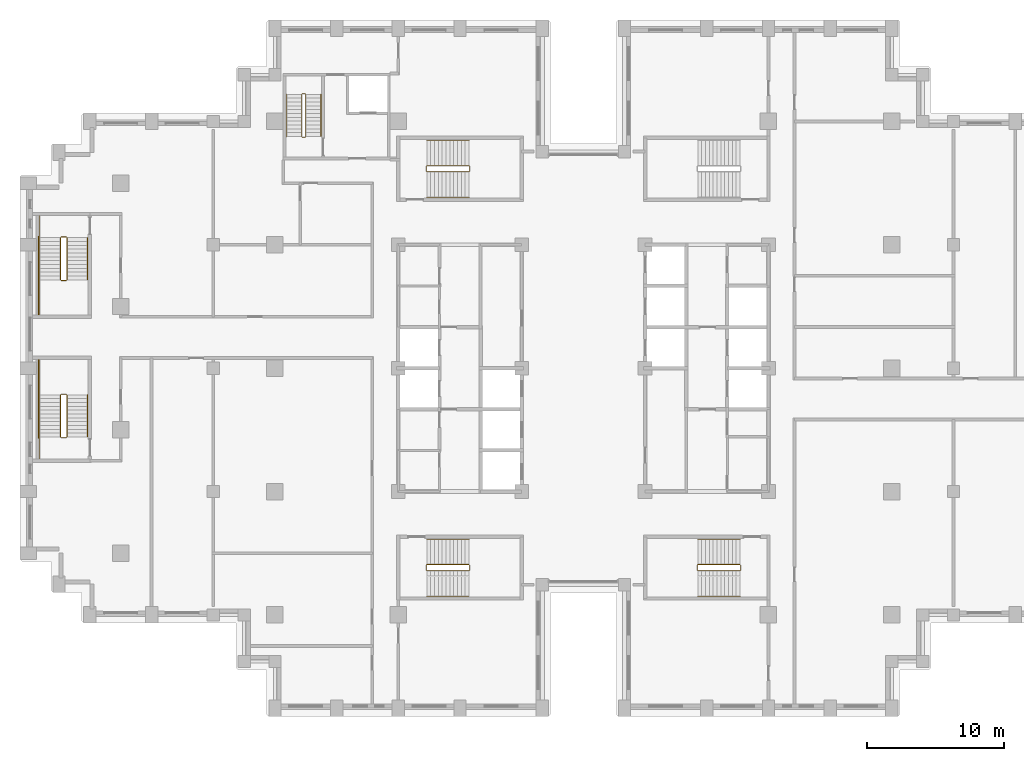
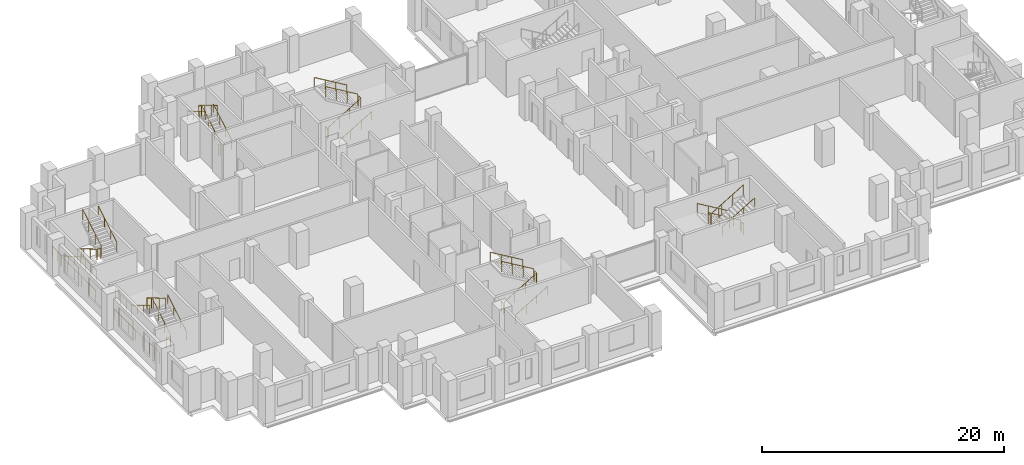
# One storey, part 14 of 15: 6 railings.
"""IFC4 building model written with IfcOpenShell, lengths in metres."""

from ifc_helpers import new_model, si_unit, direction, frame, origin, origin_2d, place, context, subcontext, project, spatial, circle, extrude, material, type_object, element, save


model = new_model("IFC4")

# Units and contexts
model_context = context("Model", 3, precision=1e-05, world=origin(), true_north=direction((0.0, 1.0)))
body_context = subcontext(model_context, "Body", "Model", "MODEL_VIEW")
ifc_project = project(units=[si_unit("LENGTHUNIT", "METRE"), si_unit("AREAUNIT", "SQUARE_METRE"), si_unit("VOLUMEUNIT", "CUBIC_METRE"), si_unit("PLANEANGLEUNIT", "RADIAN"), si_unit("MASSUNIT", "GRAM", prefix="KILO")], contexts=[model_context])

# Site, building, storey
site_placement = place(None, origin())
site = spatial("IfcSite", under=ifc_project, at=site_placement, CompositionType="ELEMENT")
building_placement = place(site_placement, origin())
building = spatial("IfcBuilding", under=site, at=building_placement, Name="Corbelhall Arena Tower", CompositionType="ELEMENT")
storey_placement = place(building_placement, frame((0.0, 0.0, 80.0)))
storey = spatial("IfcBuildingStorey", under=building, at=storey_placement, Name="L12", CompositionType="ELEMENT", Elevation=80.0)

# Railings
ifc_material = material(Name="Steel ASTM A500 Gr C", Category="steel")
railing_type = type_object("IfcRailingType", Name="IN-GD-1100", PredefinedType="GUARDRAIL", material=ifc_material)
railing_1_placement = place(storey_placement, frame((-11.425048828125, 14.324951171875, 0.166748046875)))
element("IfcRailing", 1, at=railing_1_placement, inside=storey, type_object=railing_type, Name="L12 ST1 stair guards and handrails", PredefinedType="GUARDRAIL", context=body_context, shape_type="SweptSolid", body=[
    extrude(circle(Radius=0.02392578125, at=origin_2d()), frame((0.0, 0.0, 1.076171875), z_axis=(0.859308565015, 0.0, 0.511457515432), x_axis=(0.0, 1.0, 0.0)), (0.0, 0.0, 1.0), 3.58447265625),
    extrude(circle(Radius=0.02392578125, at=origin_2d()), frame((3.130126953125, 0.050048828125, 2.9091796875), z_axis=(0.0, 1.0, 0.0), x_axis=(-1.0, 0.0, 0.0)), (0.0, 0.0, 1.0), 0.35009765625),
    extrude(circle(Radius=0.02392578125, at=origin_2d()), frame((3.080078125, 0.449951171875, 3.076171875), z_axis=(-0.859308565015, 0.0, 0.511457515432), x_axis=(0.0, -1.0, 0.0)), (0.0, 0.0, 1.0), 3.58447265625),
    extrude(circle(Radius=0.02392578125, at=origin_2d()), frame((-0.050048828125, 0.050048828125, 0.9091796875), z_axis=(0.0, 1.0, 0.0), x_axis=(-1.0, 0.0, 0.0)), (0.0, 0.0, 1.0), 0.35009765625),
    extrude(circle(Radius=0.02392578125, at=origin_2d()), frame((0.0, -1.849853515625, 0.8759765625), z_axis=(0.859308565015, 0.0, 0.511457515432), x_axis=(0.0, 1.0, 0.0)), (0.0, 0.0, 1.0), 3.58447265625),
    extrude(circle(Radius=0.02392578125, at=origin_2d()), frame((3.080078125, 2.300048828125, 2.8759765625), z_axis=(-0.859308565015, 0.0, 0.511457515432), x_axis=(0.0, -1.0, 0.0)), (0.0, 0.0, 1.0), 3.58447265625),
    extrude(circle(Radius=0.02099609375, at=origin_2d()), origin(), (0.0, 0.0, 1.0), 1.052001953125),
    extrude(circle(Radius=0.02099609375, at=origin_2d()), frame((1.026611328125, 0.0, 0.611083984375)), (0.0, 0.0, 1.0), 1.052001953125),
    extrude(circle(Radius=0.02099609375, at=origin_2d()), frame((2.053466796875, 0.0, 1.22216796875)), (0.0, 0.0, 1.0), 1.052001953125),
    extrude(circle(Radius=0.02099609375, at=origin_2d()), frame((3.080078125, 0.0, 1.833251953125)), (0.0, 0.0, 1.0), 1.052001953125),
    extrude(circle(Radius=0.02099609375, at=origin_2d()), frame((3.130126953125, 0.050048828125, 1.833251953125)), (0.0, 0.0, 1.0), 1.052001953125),
    extrude(circle(Radius=0.02099609375, at=origin_2d()), frame((3.130126953125, 0.400146484375, 1.833251953125)), (0.0, 0.0, 1.0), 1.052001953125),
    extrude(circle(Radius=0.02099609375, at=origin_2d()), frame((3.080078125, 0.449951171875, 2.0)), (0.0, 0.0, 1.0), 1.052001953125),
    extrude(circle(Radius=0.02099609375, at=origin_2d()), frame((2.053466796875, 0.449951171875, 2.611083984375)), (0.0, 0.0, 1.0), 1.052001953125),
    extrude(circle(Radius=0.02099609375, at=origin_2d()), frame((1.026611328125, 0.449951171875, 3.22216796875)), (0.0, 0.0, 1.0), 1.052001953125),
    extrude(circle(Radius=0.02099609375, at=origin_2d()), frame((0.0, 0.449951171875, 3.833251953125)), (0.0, 0.0, 1.0), 1.052001953125),
    extrude(circle(Radius=0.02099609375, at=origin_2d()), frame((-0.050048828125, 0.050048828125, -0.166748046875)), (0.0, 0.0, 1.0), 1.052001953125),
    extrude(circle(Radius=0.02099609375, at=origin_2d()), frame((-0.050048828125, 0.400146484375, -0.166748046875)), (0.0, 0.0, 1.0), 1.052001953125),
    extrude(circle(Radius=0.02099609375, at=origin_2d()), frame((0.0, -1.849853515625, 0.0)), (0.0, 0.0, 1.0), 0.851806640625),
    extrude(circle(Radius=0.02099609375, at=origin_2d()), frame((1.026611328125, -1.849853515625, 0.611083984375)), (0.0, 0.0, 1.0), 0.851806640625),
    extrude(circle(Radius=0.02099609375, at=origin_2d()), frame((2.053466796875, -1.849853515625, 1.22216796875)), (0.0, 0.0, 1.0), 0.851806640625),
    extrude(circle(Radius=0.02099609375, at=origin_2d()), frame((3.080078125, -1.849853515625, 1.833251953125)), (0.0, 0.0, 1.0), 0.851806640625),
    extrude(circle(Radius=0.02099609375, at=origin_2d()), frame((3.080078125, 2.300048828125, 2.0)), (0.0, 0.0, 1.0), 0.851806640625),
    extrude(circle(Radius=0.02099609375, at=origin_2d()), frame((2.053466796875, 2.300048828125, 2.611083984375)), (0.0, 0.0, 1.0), 0.851806640625),
    extrude(circle(Radius=0.02099609375, at=origin_2d()), frame((1.026611328125, 2.300048828125, 3.22216796875)), (0.0, 0.0, 1.0), 0.851806640625),
    extrude(circle(Radius=0.02099609375, at=origin_2d()), frame((0.0, 2.300048828125, 3.833251953125)), (0.0, 0.0, 1.0), 0.851806640625),
])
railing_2_placement = place(storey_placement, frame((-11.425048828125, -14.77490234375, 0.166748046875)))
element("IfcRailing", 2, at=railing_2_placement, inside=storey, type_object=railing_type, Name="L12 ST2 stair guards and handrails", PredefinedType="GUARDRAIL", context=body_context, shape_type="SweptSolid", body=[
    extrude(circle(Radius=0.02392578125, at=origin_2d()), frame((0.0, 0.0, 1.076171875), z_axis=(0.859308565015, 0.0, 0.511457515432), x_axis=(0.0, 1.0, 0.0)), (0.0, 0.0, 1.0), 3.58447265625),
    extrude(circle(Radius=0.02392578125, at=origin_2d()), frame((3.130126953125, 0.0498046875, 2.9091796875), z_axis=(0.0, 1.0, 0.0), x_axis=(-1.0, 0.0, 0.0)), (0.0, 0.0, 1.0), 0.35009765625),
    extrude(circle(Radius=0.02392578125, at=origin_2d()), frame((3.080078125, 0.449951171875, 3.076171875), z_axis=(-0.859308565015, 0.0, 0.511457515432), x_axis=(0.0, -1.0, 0.0)), (0.0, 0.0, 1.0), 3.58447265625),
    extrude(circle(Radius=0.02392578125, at=origin_2d()), frame((-0.050048828125, 0.0498046875, 0.9091796875), z_axis=(0.0, 1.0, 0.0), x_axis=(-1.0, 0.0, 0.0)), (0.0, 0.0, 1.0), 0.35009765625),
    extrude(circle(Radius=0.02392578125, at=origin_2d()), frame((0.0, -1.85009765625, 0.8759765625), z_axis=(0.859308565015, 0.0, 0.511457515432), x_axis=(0.0, 1.0, 0.0)), (0.0, 0.0, 1.0), 3.58447265625),
    extrude(circle(Radius=0.02392578125, at=origin_2d()), frame((3.080078125, 2.2998046875, 2.8759765625), z_axis=(-0.859308565015, 0.0, 0.511457515432), x_axis=(0.0, -1.0, 0.0)), (0.0, 0.0, 1.0), 3.58447265625),
    extrude(circle(Radius=0.02099609375, at=origin_2d()), origin(), (0.0, 0.0, 1.0), 1.052001953125),
    extrude(circle(Radius=0.02099609375, at=origin_2d()), frame((1.026611328125, 0.0, 0.611083984375)), (0.0, 0.0, 1.0), 1.052001953125),
    extrude(circle(Radius=0.02099609375, at=origin_2d()), frame((2.053466796875, 0.0, 1.22216796875)), (0.0, 0.0, 1.0), 1.052001953125),
    extrude(circle(Radius=0.02099609375, at=origin_2d()), frame((3.080078125, 0.0, 1.833251953125)), (0.0, 0.0, 1.0), 1.052001953125),
    extrude(circle(Radius=0.02099609375, at=origin_2d()), frame((3.130126953125, 0.0498046875, 1.833251953125)), (0.0, 0.0, 1.0), 1.052001953125),
    extrude(circle(Radius=0.02099609375, at=origin_2d()), frame((3.130126953125, 0.39990234375, 1.833251953125)), (0.0, 0.0, 1.0), 1.052001953125),
    extrude(circle(Radius=0.02099609375, at=origin_2d()), frame((3.080078125, 0.449951171875, 2.0)), (0.0, 0.0, 1.0), 1.052001953125),
    extrude(circle(Radius=0.02099609375, at=origin_2d()), frame((2.053466796875, 0.449951171875, 2.611083984375)), (0.0, 0.0, 1.0), 1.052001953125),
    extrude(circle(Radius=0.02099609375, at=origin_2d()), frame((1.026611328125, 0.449951171875, 3.22216796875)), (0.0, 0.0, 1.0), 1.052001953125),
    extrude(circle(Radius=0.02099609375, at=origin_2d()), frame((0.0, 0.449951171875, 3.833251953125)), (0.0, 0.0, 1.0), 1.052001953125),
    extrude(circle(Radius=0.02099609375, at=origin_2d()), frame((-0.050048828125, 0.0498046875, -0.166748046875)), (0.0, 0.0, 1.0), 1.052001953125),
    extrude(circle(Radius=0.02099609375, at=origin_2d()), frame((-0.050048828125, 0.39990234375, -0.166748046875)), (0.0, 0.0, 1.0), 1.052001953125),
    extrude(circle(Radius=0.02099609375, at=origin_2d()), frame((0.0, -1.85009765625, 0.0)), (0.0, 0.0, 1.0), 0.851806640625),
    extrude(circle(Radius=0.02099609375, at=origin_2d()), frame((1.026611328125, -1.85009765625, 0.611083984375)), (0.0, 0.0, 1.0), 0.851806640625),
    extrude(circle(Radius=0.02099609375, at=origin_2d()), frame((2.053466796875, -1.85009765625, 1.22216796875)), (0.0, 0.0, 1.0), 0.851806640625),
    extrude(circle(Radius=0.02099609375, at=origin_2d()), frame((3.080078125, -1.85009765625, 1.833251953125)), (0.0, 0.0, 1.0), 0.851806640625),
    extrude(circle(Radius=0.02099609375, at=origin_2d()), frame((3.080078125, 2.2998046875, 2.0)), (0.0, 0.0, 1.0), 0.851806640625),
    extrude(circle(Radius=0.02099609375, at=origin_2d()), frame((2.053466796875, 2.2998046875, 2.611083984375)), (0.0, 0.0, 1.0), 0.851806640625),
    extrude(circle(Radius=0.02099609375, at=origin_2d()), frame((1.026611328125, 2.2998046875, 3.22216796875)), (0.0, 0.0, 1.0), 0.851806640625),
    extrude(circle(Radius=0.02099609375, at=origin_2d()), frame((0.0, 2.2998046875, 3.833251953125)), (0.0, 0.0, 1.0), 0.851806640625),
])
railing_3_placement = place(storey_placement, frame((11.425048828125, -14.324951171875, 0.166748046875)))
element("IfcRailing", 3, at=railing_3_placement, inside=storey, type_object=railing_type, Name="L12 ST4 stair guards and handrails", PredefinedType="GUARDRAIL", context=body_context, shape_type="SweptSolid", body=[
    extrude(circle(Radius=0.02392578125, at=origin_2d()), frame((0.0, 0.0, 1.076171875), z_axis=(-0.859308565015, 0.0, 0.511457515432), x_axis=(0.0, -1.0, 0.0)), (0.0, 0.0, 1.0), 3.58447265625),
    extrude(circle(Radius=0.02392578125, at=origin_2d()), frame((-3.130126953125, -0.050048828125, 2.9091796875), z_axis=(0.0, -1.0, 0.0), x_axis=(1.0, 0.0, 0.0)), (0.0, 0.0, 1.0), 0.35009765625),
    extrude(circle(Radius=0.02392578125, at=origin_2d()), frame((-3.080078125, -0.449951171875, 3.076171875), z_axis=(0.859308565015, 0.0, 0.511457515432), x_axis=(0.0, 1.0, 0.0)), (0.0, 0.0, 1.0), 3.58447265625),
    extrude(circle(Radius=0.02392578125, at=origin_2d()), frame((0.050048828125, -0.050048828125, 0.9091796875), z_axis=(0.0, -1.0, 0.0), x_axis=(1.0, 0.0, 0.0)), (0.0, 0.0, 1.0), 0.35009765625),
    extrude(circle(Radius=0.02392578125, at=origin_2d()), frame((0.0, 1.849853515625, 0.8759765625), z_axis=(-0.859308565015, 0.0, 0.511457515432), x_axis=(0.0, -1.0, 0.0)), (0.0, 0.0, 1.0), 3.58447265625),
    extrude(circle(Radius=0.02392578125, at=origin_2d()), frame((-3.080078125, -2.300048828125, 2.8759765625), z_axis=(0.859308565015, 0.0, 0.511457515432), x_axis=(0.0, 1.0, 0.0)), (0.0, 0.0, 1.0), 3.58447265625),
    extrude(circle(Radius=0.02099609375, at=origin_2d()), origin(), (0.0, 0.0, 1.0), 1.052001953125),
    extrude(circle(Radius=0.02099609375, at=origin_2d()), frame((-1.026611328125, 0.0, 0.611083984375)), (0.0, 0.0, 1.0), 1.052001953125),
    extrude(circle(Radius=0.02099609375, at=origin_2d()), frame((-2.053466796875, 0.0, 1.22216796875)), (0.0, 0.0, 1.0), 1.052001953125),
    extrude(circle(Radius=0.02099609375, at=origin_2d()), frame((-3.080078125, 0.0, 1.833251953125)), (0.0, 0.0, 1.0), 1.052001953125),
    extrude(circle(Radius=0.02099609375, at=origin_2d()), frame((-3.130126953125, -0.050048828125, 1.833251953125)), (0.0, 0.0, 1.0), 1.052001953125),
    extrude(circle(Radius=0.02099609375, at=origin_2d()), frame((-3.130126953125, -0.400146484375, 1.833251953125)), (0.0, 0.0, 1.0), 1.052001953125),
    extrude(circle(Radius=0.02099609375, at=origin_2d()), frame((-3.080078125, -0.449951171875, 2.0)), (0.0, 0.0, 1.0), 1.052001953125),
    extrude(circle(Radius=0.02099609375, at=origin_2d()), frame((-2.053466796875, -0.449951171875, 2.611083984375)), (0.0, 0.0, 1.0), 1.052001953125),
    extrude(circle(Radius=0.02099609375, at=origin_2d()), frame((-1.026611328125, -0.449951171875, 3.22216796875)), (0.0, 0.0, 1.0), 1.052001953125),
    extrude(circle(Radius=0.02099609375, at=origin_2d()), frame((0.0, -0.449951171875, 3.833251953125)), (0.0, 0.0, 1.0), 1.052001953125),
    extrude(circle(Radius=0.02099609375, at=origin_2d()), frame((0.050048828125, -0.050048828125, -0.166748046875)), (0.0, 0.0, 1.0), 1.052001953125),
    extrude(circle(Radius=0.02099609375, at=origin_2d()), frame((0.050048828125, -0.400146484375, -0.166748046875)), (0.0, 0.0, 1.0), 1.052001953125),
    extrude(circle(Radius=0.02099609375, at=origin_2d()), frame((0.0, 1.849853515625, 0.0)), (0.0, 0.0, 1.0), 0.851806640625),
    extrude(circle(Radius=0.02099609375, at=origin_2d()), frame((-1.026611328125, 1.849853515625, 0.611083984375)), (0.0, 0.0, 1.0), 0.851806640625),
    extrude(circle(Radius=0.02099609375, at=origin_2d()), frame((-2.053466796875, 1.849853515625, 1.22216796875)), (0.0, 0.0, 1.0), 0.851806640625),
    extrude(circle(Radius=0.02099609375, at=origin_2d()), frame((-3.080078125, 1.849853515625, 1.833251953125)), (0.0, 0.0, 1.0), 0.851806640625),
    extrude(circle(Radius=0.02099609375, at=origin_2d()), frame((-3.080078125, -2.300048828125, 2.0)), (0.0, 0.0, 1.0), 0.851806640625),
    extrude(circle(Radius=0.02099609375, at=origin_2d()), frame((-2.053466796875, -2.300048828125, 2.611083984375)), (0.0, 0.0, 1.0), 0.851806640625),
    extrude(circle(Radius=0.02099609375, at=origin_2d()), frame((-1.026611328125, -2.300048828125, 3.22216796875)), (0.0, 0.0, 1.0), 0.851806640625),
    extrude(circle(Radius=0.02099609375, at=origin_2d()), frame((0.0, -2.300048828125, 3.833251953125)), (0.0, 0.0, 1.0), 0.851806640625),
])
railing_4_placement = place(storey_placement, frame((-38.14990234375, 9.52490234375, 0.166748046875)))
element("IfcRailing", 4, at=railing_4_placement, inside=storey, type_object=railing_type, Name="L12 SC1 stair guards and handrails", PredefinedType="GUARDRAIL", context=body_context, shape_type="SweptSolid", body=[
    extrude(circle(Radius=0.02392578125, at=origin_2d()), frame((0.0, 0.0, 1.076171875), z_axis=(0.0, -0.859290745958, 0.51148745235), x_axis=(1.0, 0.0, 0.0)), (0.0, 0.0, 1.0), 3.584228515625),
    extrude(circle(Radius=0.02392578125, at=origin_2d()), frame((0.0498046875, -3.1298828125, 2.9091796875), z_axis=(1.0, 0.0, 0.0), x_axis=(0.0, 1.0, 0.0)), (0.0, 0.0, 1.0), 0.375),
    extrude(circle(Radius=0.02392578125, at=origin_2d()), frame((-1.5, -3.079833984375, 2.9091796875), z_axis=(0.0, -1.0, 0.0), x_axis=(1.0, 0.0, 0.0)), (0.0, 0.0, 1.0), 2.570068359375),
    extrude(circle(Radius=0.02392578125, at=origin_2d()), frame((0.474853515625, -3.079833984375, 3.076171875), z_axis=(0.0, 0.859290745958, 0.51148745235), x_axis=(-1.0, 0.0, 0.0)), (0.0, 0.0, 1.0), 3.584228515625),
    extrude(circle(Radius=0.02392578125, at=origin_2d()), frame((0.0498046875, 0.050048828125, 0.9091796875), z_axis=(1.0, 0.0, 0.0), x_axis=(0.0, 1.0, 0.0)), (0.0, 0.0, 1.0), 0.375),
    extrude(circle(Radius=0.02392578125, at=origin_2d()), frame((-1.5, 1.60009765625, 0.9091796875), z_axis=(0.0, -1.0, 0.0), x_axis=(1.0, 0.0, 0.0)), (0.0, 0.0, 1.0), 1.60009765625),
    extrude(circle(Radius=0.02392578125, at=origin_2d()), frame((-1.60009765625, 0.10009765625, 0.9091796875), z_axis=(0.0, -1.0, 0.0), x_axis=(1.0, 0.0, 0.0)), (0.0, 0.0, 1.0), 5.85009765625),
    extrude(circle(Radius=0.02392578125, at=origin_2d()), frame((-1.5, 0.0, 0.8759765625), z_axis=(0.0, -0.859290745958, 0.51148745235), x_axis=(1.0, 0.0, 0.0)), (0.0, 0.0, 1.0), 3.584228515625),
    extrude(circle(Radius=0.02392578125, at=origin_2d()), frame((1.974853515625, -3.079833984375, 2.8759765625), z_axis=(0.0, 0.859290745958, 0.51148745235), x_axis=(-1.0, 0.0, 0.0)), (0.0, 0.0, 1.0), 3.584228515625),
    extrude(circle(Radius=0.02099609375, at=origin_2d()), origin(), (0.0, 0.0, 1.0), 1.052001953125),
    extrude(circle(Radius=0.02099609375, at=origin_2d()), frame((0.0, -1.026611328125, 0.611083984375)), (0.0, 0.0, 1.0), 1.052001953125),
    extrude(circle(Radius=0.02099609375, at=origin_2d()), frame((0.0, -2.05322265625, 1.22216796875)), (0.0, 0.0, 1.0), 1.052001953125),
    extrude(circle(Radius=0.02099609375, at=origin_2d()), frame((0.0, -3.079833984375, 1.833251953125)), (0.0, 0.0, 1.0), 1.052001953125),
    extrude(circle(Radius=0.02099609375, at=origin_2d()), frame((0.0498046875, -3.1298828125, 1.833251953125)), (0.0, 0.0, 1.0), 1.052001953125),
    extrude(circle(Radius=0.02099609375, at=origin_2d()), frame((0.4248046875, -3.1298828125, 1.833251953125)), (0.0, 0.0, 1.0), 1.052001953125),
    extrude(circle(Radius=0.02099609375, at=origin_2d()), frame((-1.5, -3.079833984375, 1.833251953125)), (0.0, 0.0, 1.0), 1.052001953125),
    extrude(circle(Radius=0.02099609375, at=origin_2d()), frame((-1.5, -3.9365234375, 1.833251953125)), (0.0, 0.0, 1.0), 1.052001953125),
    extrude(circle(Radius=0.02099609375, at=origin_2d()), frame((-1.5, -4.793212890625, 1.833251953125)), (0.0, 0.0, 1.0), 1.052001953125),
    extrude(circle(Radius=0.02099609375, at=origin_2d()), frame((-1.5, -5.64990234375, 1.833251953125)), (0.0, 0.0, 1.0), 1.052001953125),
    extrude(circle(Radius=0.02099609375, at=origin_2d()), frame((0.474853515625, -3.079833984375, 2.0)), (0.0, 0.0, 1.0), 1.052001953125),
    extrude(circle(Radius=0.02099609375, at=origin_2d()), frame((0.474853515625, -2.05322265625, 2.611083984375)), (0.0, 0.0, 1.0), 1.052001953125),
    extrude(circle(Radius=0.02099609375, at=origin_2d()), frame((0.474853515625, -1.026611328125, 3.22216796875)), (0.0, 0.0, 1.0), 1.052001953125),
    extrude(circle(Radius=0.02099609375, at=origin_2d()), frame((0.474853515625, 0.0, 3.833251953125)), (0.0, 0.0, 1.0), 1.052001953125),
    extrude(circle(Radius=0.02099609375, at=origin_2d()), frame((0.0498046875, 0.050048828125, -0.166748046875)), (0.0, 0.0, 1.0), 1.052001953125),
    extrude(circle(Radius=0.02099609375, at=origin_2d()), frame((0.4248046875, 0.050048828125, -0.166748046875)), (0.0, 0.0, 1.0), 1.052001953125),
    extrude(circle(Radius=0.02099609375, at=origin_2d()), frame((-1.5, 1.60009765625, -0.166748046875)), (0.0, 0.0, 1.0), 1.052001953125),
    extrude(circle(Radius=0.02099609375, at=origin_2d()), frame((-1.5, 0.800048828125, -0.166748046875)), (0.0, 0.0, 1.0), 1.052001953125),
    extrude(circle(Radius=0.02099609375, at=origin_2d()), frame((-1.5, 0.0, -0.166748046875)), (0.0, 0.0, 1.0), 1.052001953125),
    extrude(circle(Radius=0.02099609375, at=origin_2d()), frame((-1.60009765625, 0.10009765625, -0.166748046875)), (0.0, 0.0, 1.0), 1.052001953125),
    extrude(circle(Radius=0.02099609375, at=origin_2d()), frame((-1.60009765625, -1.06982421875, -0.166748046875)), (0.0, 0.0, 1.0), 1.052001953125),
    extrude(circle(Radius=0.02099609375, at=origin_2d()), frame((-1.60009765625, -2.239990234375, -0.166748046875)), (0.0, 0.0, 1.0), 1.052001953125),
    extrude(circle(Radius=0.02099609375, at=origin_2d()), frame((-1.60009765625, -3.409912109375, -0.166748046875)), (0.0, 0.0, 1.0), 1.052001953125),
    extrude(circle(Radius=0.02099609375, at=origin_2d()), frame((-1.60009765625, -4.580078125, -0.166748046875)), (0.0, 0.0, 1.0), 1.052001953125),
    extrude(circle(Radius=0.02099609375, at=origin_2d()), frame((-1.60009765625, -5.75, -0.166748046875)), (0.0, 0.0, 1.0), 1.052001953125),
    extrude(circle(Radius=0.02099609375, at=origin_2d()), frame((-1.5, 0.0, 0.0)), (0.0, 0.0, 1.0), 0.851806640625),
    extrude(circle(Radius=0.02099609375, at=origin_2d()), frame((-1.5, -1.026611328125, 0.611083984375)), (0.0, 0.0, 1.0), 0.851806640625),
    extrude(circle(Radius=0.02099609375, at=origin_2d()), frame((-1.5, -2.05322265625, 1.22216796875)), (0.0, 0.0, 1.0), 0.851806640625),
    extrude(circle(Radius=0.02099609375, at=origin_2d()), frame((1.974853515625, -3.079833984375, 2.0)), (0.0, 0.0, 1.0), 0.851806640625),
    extrude(circle(Radius=0.02099609375, at=origin_2d()), frame((1.974853515625, -2.05322265625, 2.611083984375)), (0.0, 0.0, 1.0), 0.851806640625),
    extrude(circle(Radius=0.02099609375, at=origin_2d()), frame((1.974853515625, -1.026611328125, 3.22216796875)), (0.0, 0.0, 1.0), 0.851806640625),
    extrude(circle(Radius=0.02099609375, at=origin_2d()), frame((1.974853515625, 0.0, 3.833251953125)), (0.0, 0.0, 1.0), 0.851806640625),
])
railing_5_placement = place(storey_placement, frame((-37.675048828125, -5.02490234375, 0.166748046875)))
element("IfcRailing", 5, at=railing_5_placement, inside=storey, type_object=railing_type, Name="L12 SC2 stair guards and handrails", PredefinedType="GUARDRAIL", context=body_context, shape_type="SweptSolid", body=[
    extrude(circle(Radius=0.02392578125, at=origin_2d()), frame((0.0, 0.0, 1.076171875), z_axis=(0.0, 0.859290745958, 0.51148745235), x_axis=(-1.0, 0.0, 0.0)), (0.0, 0.0, 1.0), 3.584228515625),
    extrude(circle(Radius=0.02392578125, at=origin_2d()), frame((-0.050048828125, 3.1298828125, 2.9091796875), z_axis=(-1.0, 0.0, 0.0), x_axis=(0.0, -1.0, 0.0)), (0.0, 0.0, 1.0), 0.375),
    extrude(circle(Radius=0.02392578125, at=origin_2d()), frame((-1.974853515625, 3.079833984375, 2.9091796875), z_axis=(0.0, 1.0, 0.0), x_axis=(-1.0, 0.0, 0.0)), (0.0, 0.0, 1.0), 2.570068359375),
    extrude(circle(Radius=0.02392578125, at=origin_2d()), frame((-0.474853515625, 3.079833984375, 3.076171875), z_axis=(0.0, -0.859290745958, 0.51148745235), x_axis=(1.0, 0.0, 0.0)), (0.0, 0.0, 1.0), 3.584228515625),
    extrude(circle(Radius=0.02392578125, at=origin_2d()), frame((-0.050048828125, -0.050048828125, 0.9091796875), z_axis=(-1.0, 0.0, 0.0), x_axis=(0.0, -1.0, 0.0)), (0.0, 0.0, 1.0), 0.375),
    extrude(circle(Radius=0.02392578125, at=origin_2d()), frame((-1.974853515625, -1.60009765625, 0.9091796875), z_axis=(0.0, 1.0, 0.0), x_axis=(-1.0, 0.0, 0.0)), (0.0, 0.0, 1.0), 1.60009765625),
    extrude(circle(Radius=0.02392578125, at=origin_2d()), frame((-2.074951171875, -0.10009765625, 0.9091796875), z_axis=(0.0, 1.0, 0.0), x_axis=(-1.0, 0.0, 0.0)), (0.0, 0.0, 1.0), 5.85009765625),
    extrude(circle(Radius=0.02392578125, at=origin_2d()), frame((1.5, 0.0, 0.8759765625), z_axis=(0.0, 0.859290745958, 0.51148745235), x_axis=(-1.0, 0.0, 0.0)), (0.0, 0.0, 1.0), 3.584228515625),
    extrude(circle(Radius=0.02392578125, at=origin_2d()), frame((-1.974853515625, 3.079833984375, 2.8759765625), z_axis=(0.0, -0.859290745958, 0.51148745235), x_axis=(1.0, 0.0, 0.0)), (0.0, 0.0, 1.0), 3.584228515625),
    extrude(circle(Radius=0.02099609375, at=origin_2d()), origin(), (0.0, 0.0, 1.0), 1.052001953125),
    extrude(circle(Radius=0.02099609375, at=origin_2d()), frame((0.0, 1.026611328125, 0.611083984375)), (0.0, 0.0, 1.0), 1.052001953125),
    extrude(circle(Radius=0.02099609375, at=origin_2d()), frame((0.0, 2.05322265625, 1.22216796875)), (0.0, 0.0, 1.0), 1.052001953125),
    extrude(circle(Radius=0.02099609375, at=origin_2d()), frame((0.0, 3.079833984375, 1.833251953125)), (0.0, 0.0, 1.0), 1.052001953125),
    extrude(circle(Radius=0.02099609375, at=origin_2d()), frame((-0.050048828125, 3.1298828125, 1.833251953125)), (0.0, 0.0, 1.0), 1.052001953125),
    extrude(circle(Radius=0.02099609375, at=origin_2d()), frame((-0.425048828125, 3.1298828125, 1.833251953125)), (0.0, 0.0, 1.0), 1.052001953125),
    extrude(circle(Radius=0.02099609375, at=origin_2d()), frame((-1.974853515625, 3.079833984375, 1.833251953125)), (0.0, 0.0, 1.0), 1.052001953125),
    extrude(circle(Radius=0.02099609375, at=origin_2d()), frame((-1.974853515625, 3.9365234375, 1.833251953125)), (0.0, 0.0, 1.0), 1.052001953125),
    extrude(circle(Radius=0.02099609375, at=origin_2d()), frame((-1.974853515625, 4.793212890625, 1.833251953125)), (0.0, 0.0, 1.0), 1.052001953125),
    extrude(circle(Radius=0.02099609375, at=origin_2d()), frame((-1.974853515625, 5.64990234375, 1.833251953125)), (0.0, 0.0, 1.0), 1.052001953125),
    extrude(circle(Radius=0.02099609375, at=origin_2d()), frame((-0.474853515625, 3.079833984375, 2.0)), (0.0, 0.0, 1.0), 1.052001953125),
    extrude(circle(Radius=0.02099609375, at=origin_2d()), frame((-0.474853515625, 2.05322265625, 2.611083984375)), (0.0, 0.0, 1.0), 1.052001953125),
    extrude(circle(Radius=0.02099609375, at=origin_2d()), frame((-0.474853515625, 1.026611328125, 3.22216796875)), (0.0, 0.0, 1.0), 1.052001953125),
    extrude(circle(Radius=0.02099609375, at=origin_2d()), frame((-0.474853515625, 0.0, 3.833251953125)), (0.0, 0.0, 1.0), 1.052001953125),
    extrude(circle(Radius=0.02099609375, at=origin_2d()), frame((-0.050048828125, -0.050048828125, -0.166748046875)), (0.0, 0.0, 1.0), 1.052001953125),
    extrude(circle(Radius=0.02099609375, at=origin_2d()), frame((-0.425048828125, -0.050048828125, -0.166748046875)), (0.0, 0.0, 1.0), 1.052001953125),
    extrude(circle(Radius=0.02099609375, at=origin_2d()), frame((-1.974853515625, -1.60009765625, -0.166748046875)), (0.0, 0.0, 1.0), 1.052001953125),
    extrude(circle(Radius=0.02099609375, at=origin_2d()), frame((-1.974853515625, -0.800048828125, -0.166748046875)), (0.0, 0.0, 1.0), 1.052001953125),
    extrude(circle(Radius=0.02099609375, at=origin_2d()), frame((-1.974853515625, 0.0, -0.166748046875)), (0.0, 0.0, 1.0), 1.052001953125),
    extrude(circle(Radius=0.02099609375, at=origin_2d()), frame((-2.074951171875, -0.10009765625, -0.166748046875)), (0.0, 0.0, 1.0), 1.052001953125),
    extrude(circle(Radius=0.02099609375, at=origin_2d()), frame((-2.074951171875, 1.06982421875, -0.166748046875)), (0.0, 0.0, 1.0), 1.052001953125),
    extrude(circle(Radius=0.02099609375, at=origin_2d()), frame((-2.074951171875, 2.239990234375, -0.166748046875)), (0.0, 0.0, 1.0), 1.052001953125),
    extrude(circle(Radius=0.02099609375, at=origin_2d()), frame((-2.074951171875, 3.409912109375, -0.166748046875)), (0.0, 0.0, 1.0), 1.052001953125),
    extrude(circle(Radius=0.02099609375, at=origin_2d()), frame((-2.074951171875, 4.580078125, -0.166748046875)), (0.0, 0.0, 1.0), 1.052001953125),
    extrude(circle(Radius=0.02099609375, at=origin_2d()), frame((-2.074951171875, 5.75, -0.166748046875)), (0.0, 0.0, 1.0), 1.052001953125),
    extrude(circle(Radius=0.02099609375, at=origin_2d()), frame((1.5, 0.0, 0.0)), (0.0, 0.0, 1.0), 0.851806640625),
    extrude(circle(Radius=0.02099609375, at=origin_2d()), frame((1.5, 1.026611328125, 0.611083984375)), (0.0, 0.0, 1.0), 0.851806640625),
    extrude(circle(Radius=0.02099609375, at=origin_2d()), frame((1.5, 2.05322265625, 1.22216796875)), (0.0, 0.0, 1.0), 0.851806640625),
    extrude(circle(Radius=0.02099609375, at=origin_2d()), frame((1.5, 3.079833984375, 1.833251953125)), (0.0, 0.0, 1.0), 0.851806640625),
    extrude(circle(Radius=0.02099609375, at=origin_2d()), frame((-1.974853515625, 3.079833984375, 2.0)), (0.0, 0.0, 1.0), 0.851806640625),
    extrude(circle(Radius=0.02099609375, at=origin_2d()), frame((-1.974853515625, 2.05322265625, 2.611083984375)), (0.0, 0.0, 1.0), 0.851806640625),
    extrude(circle(Radius=0.02099609375, at=origin_2d()), frame((-1.974853515625, 1.026611328125, 3.22216796875)), (0.0, 0.0, 1.0), 0.851806640625),
    extrude(circle(Radius=0.02099609375, at=origin_2d()), frame((-1.974853515625, 0.0, 3.833251953125)), (0.0, 0.0, 1.0), 0.851806640625),
])
railing_6_placement = place(storey_placement, frame((-20.2451171875, 16.89990234375, 0.166748046875)))
element("IfcRailing", 6, at=railing_6_placement, inside=storey, type_object=railing_type, Name="L12 ST5 stair guards and handrails", PredefinedType="GUARDRAIL", context=body_context, shape_type="SweptSolid", body=[
    extrude(circle(Radius=0.02392578125, at=origin_2d()), frame((0.0, 0.0, 1.076171875), z_axis=(0.0, 0.859308565015, 0.511457515432), x_axis=(-1.0, 0.0, 0.0)), (0.0, 0.0, 1.0), 3.58447265625),
    extrude(circle(Radius=0.02392578125, at=origin_2d()), frame((-0.0498046875, 3.130126953125, 2.9091796875), z_axis=(-1.0, 0.0, 0.0), x_axis=(0.0, -1.0, 0.0)), (0.0, 0.0, 1.0), 0.2001953125),
    extrude(circle(Radius=0.02392578125, at=origin_2d()), frame((-0.2998046875, 3.080078125, 3.076171875), z_axis=(0.0, -0.859308565015, 0.511457515432), x_axis=(1.0, 0.0, 0.0)), (0.0, 0.0, 1.0), 3.58447265625),
    extrude(circle(Radius=0.02392578125, at=origin_2d()), frame((-0.0498046875, -0.0498046875, 0.9091796875), z_axis=(-1.0, 0.0, 0.0), x_axis=(0.0, -1.0, 0.0)), (0.0, 0.0, 1.0), 0.2001953125),
    extrude(circle(Radius=0.02392578125, at=origin_2d()), frame((1.10009765625, 0.0, 0.8759765625), z_axis=(0.0, 0.859308565015, 0.511457515432), x_axis=(-1.0, 0.0, 0.0)), (0.0, 0.0, 1.0), 3.58447265625),
    extrude(circle(Radius=0.02392578125, at=origin_2d()), frame((-1.39990234375, 3.080078125, 2.8759765625), z_axis=(0.0, -0.859308565015, 0.511457515432), x_axis=(1.0, 0.0, 0.0)), (0.0, 0.0, 1.0), 3.58447265625),
    extrude(circle(Radius=0.02099609375, at=origin_2d()), origin(), (0.0, 0.0, 1.0), 1.052001953125),
    extrude(circle(Radius=0.02099609375, at=origin_2d()), frame((0.0, 1.026611328125, 0.611083984375)), (0.0, 0.0, 1.0), 1.052001953125),
    extrude(circle(Radius=0.02099609375, at=origin_2d()), frame((0.0, 2.053466796875, 1.22216796875)), (0.0, 0.0, 1.0), 1.052001953125),
    extrude(circle(Radius=0.02099609375, at=origin_2d()), frame((0.0, 3.080078125, 1.833251953125)), (0.0, 0.0, 1.0), 1.052001953125),
    extrude(circle(Radius=0.02099609375, at=origin_2d()), frame((-0.0498046875, 3.130126953125, 1.833251953125)), (0.0, 0.0, 1.0), 1.052001953125),
    extrude(circle(Radius=0.02099609375, at=origin_2d()), frame((-0.25, 3.130126953125, 1.833251953125)), (0.0, 0.0, 1.0), 1.052001953125),
    extrude(circle(Radius=0.02099609375, at=origin_2d()), frame((-0.2998046875, 3.080078125, 2.0)), (0.0, 0.0, 1.0), 1.052001953125),
    extrude(circle(Radius=0.02099609375, at=origin_2d()), frame((-0.2998046875, 2.053466796875, 2.611083984375)), (0.0, 0.0, 1.0), 1.052001953125),
    extrude(circle(Radius=0.02099609375, at=origin_2d()), frame((-0.2998046875, 1.026611328125, 3.22216796875)), (0.0, 0.0, 1.0), 1.052001953125),
    extrude(circle(Radius=0.02099609375, at=origin_2d()), frame((-0.2998046875, 0.0, 3.833251953125)), (0.0, 0.0, 1.0), 1.052001953125),
    extrude(circle(Radius=0.02099609375, at=origin_2d()), frame((-0.0498046875, -0.0498046875, -0.166748046875)), (0.0, 0.0, 1.0), 1.052001953125),
    extrude(circle(Radius=0.02099609375, at=origin_2d()), frame((-0.25, -0.0498046875, -0.166748046875)), (0.0, 0.0, 1.0), 1.052001953125),
    extrude(circle(Radius=0.02099609375, at=origin_2d()), frame((1.10009765625, 0.0, 0.0)), (0.0, 0.0, 1.0), 0.851806640625),
    extrude(circle(Radius=0.02099609375, at=origin_2d()), frame((1.10009765625, 1.026611328125, 0.611083984375)), (0.0, 0.0, 1.0), 0.851806640625),
    extrude(circle(Radius=0.02099609375, at=origin_2d()), frame((1.10009765625, 2.053466796875, 1.22216796875)), (0.0, 0.0, 1.0), 0.851806640625),
    extrude(circle(Radius=0.02099609375, at=origin_2d()), frame((1.10009765625, 3.080078125, 1.833251953125)), (0.0, 0.0, 1.0), 0.851806640625),
    extrude(circle(Radius=0.02099609375, at=origin_2d()), frame((-1.39990234375, 3.080078125, 2.0)), (0.0, 0.0, 1.0), 0.851806640625),
    extrude(circle(Radius=0.02099609375, at=origin_2d()), frame((-1.39990234375, 2.053466796875, 2.611083984375)), (0.0, 0.0, 1.0), 0.851806640625),
    extrude(circle(Radius=0.02099609375, at=origin_2d()), frame((-1.39990234375, 1.026611328125, 3.22216796875)), (0.0, 0.0, 1.0), 0.851806640625),
    extrude(circle(Radius=0.02099609375, at=origin_2d()), frame((-1.39990234375, 0.0, 3.833251953125)), (0.0, 0.0, 1.0), 0.851806640625),
])

save(model, "model.ifc")
